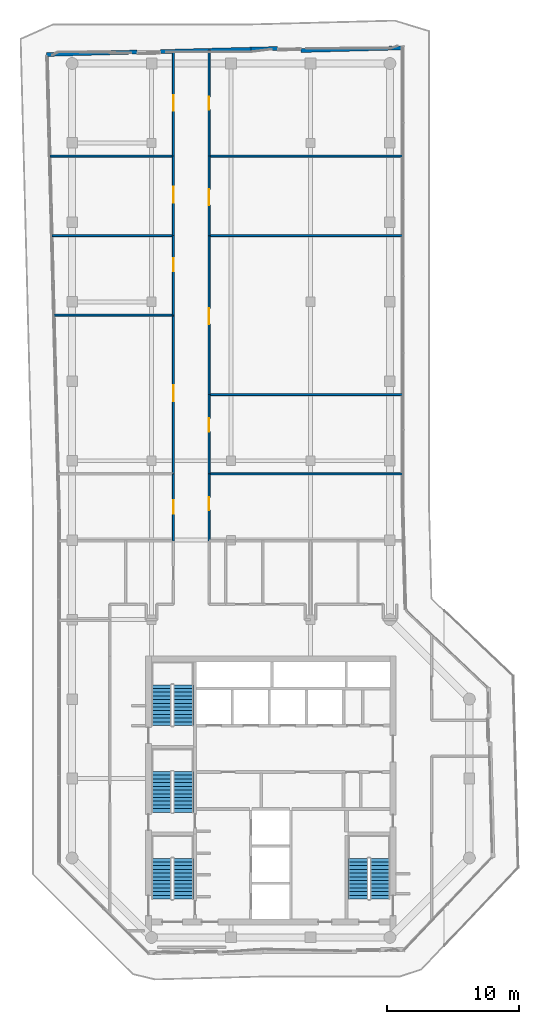
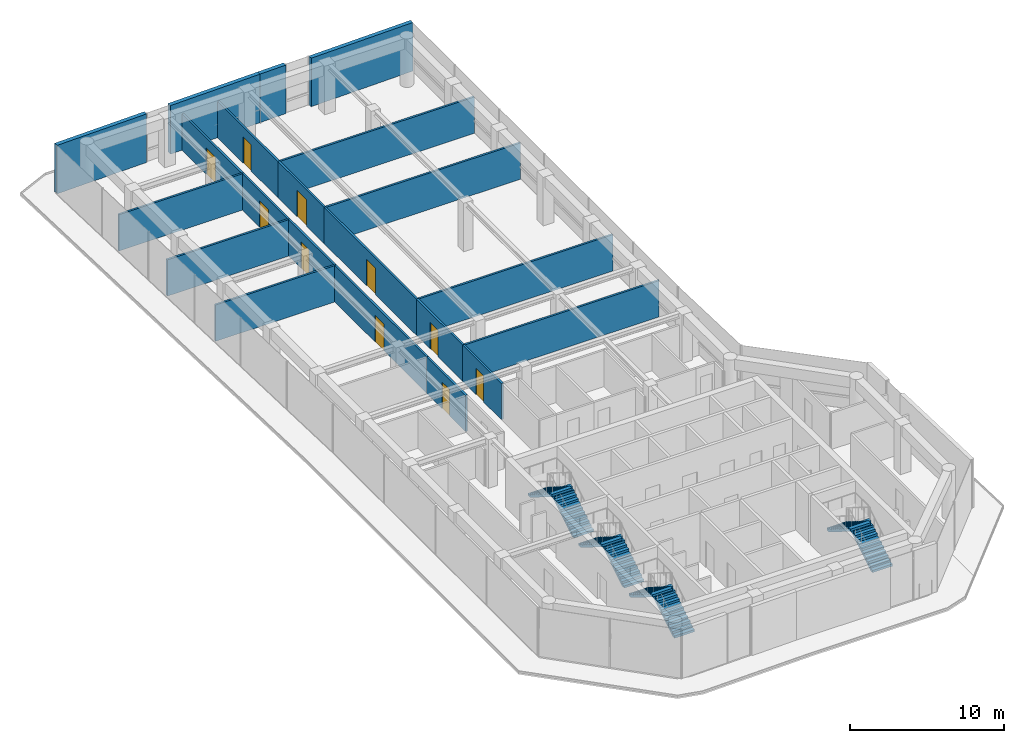
# One storey, part 18 of 20: 21 walls, 10 doors, 8 stair flights, 10 openings, 4 elements without a shape of their own.
"""IFC4 building model written with IfcOpenShell, lengths in metres."""

from ifc_helpers import new_model, si_unit, direction, frame, frame_2d, origin, place, context, subcontext, project, spatial, polyline, rectangle, outline, extrude, material, layer, layer_set, type_object, element, fill, aggregate, save


model = new_model("IFC4")

# Units and contexts
model_context = context("Model", 3, precision=1e-05, world=origin(), true_north=direction((0.0, 1.0)))
body_context = subcontext(model_context, "Body", "Model", "MODEL_VIEW")
ifc_project = project(units=[si_unit("LENGTHUNIT", "METRE"), si_unit("AREAUNIT", "SQUARE_METRE"), si_unit("VOLUMEUNIT", "CUBIC_METRE"), si_unit("PLANEANGLEUNIT", "RADIAN"), si_unit("MASSUNIT", "GRAM", prefix="KILO")], contexts=[model_context])

# Site, building, storey
site_placement = place(None, origin())
site = spatial("IfcSite", under=ifc_project, at=site_placement, CompositionType="ELEMENT")
building_placement = place(site_placement, origin())
building = spatial("IfcBuilding", under=site, at=building_placement, Name="Welwitschia Terrace Campus", CompositionType="ELEMENT")
storey_placement = place(building_placement, frame((0.0, 0.0, 222.199951171875)))
storey = spatial("IfcBuildingStorey", under=building, at=storey_placement, Name="L49", CompositionType="ELEMENT", Elevation=222.199951171875)

# Walls
ifc_material_1 = material(Name="Gypsum board on steel studs", Category="steel")
ifc_layer_1 = layer(ifc_material_1, 0.14990234375)
ifc_layer_set_1 = layer_set([ifc_layer_1], Name="Gypsum board on steel studs")
wall_type_1 = type_object("IfcWallType", Name="Corridor partition 150 EI 30", PredefinedType="PARTITIONING", material=ifc_layer_set_1)
wall_1_placement = place(storey_placement, frame((-1.679931640625, 63.0, 0.0), z_axis=(0.0, 0.0, 1.0), x_axis=(1.0, 0.0, 0.0)))
element("IfcWall", 1, at=wall_1_placement, inside=storey, type_object=wall_type_1, Name="Partition", PredefinedType="PARTITIONING", context=body_context, shape_type="SweptSolid", body=[
    extrude(rectangle(XDim=9.329833984375, YDim=0.14990234375, at=frame_2d((4.6650390625, 0.0))), origin(), (0.0, 0.0, 1.0), 2.880126953125),
])
wall_2_placement = place(storey_placement, frame((-1.52001953125, 57.0, 0.0), z_axis=(0.0, 0.0, 1.0), x_axis=(1.0, 0.0, 0.0)))
element("IfcWall", 2, at=wall_2_placement, inside=storey, type_object=wall_type_1, Name="Partition", PredefinedType="PARTITIONING", context=body_context, shape_type="SweptSolid", body=[
    extrude(rectangle(XDim=9.169921875, YDim=0.14990234375, at=frame_2d((4.5849609375, 0.0))), origin(), (0.0, 0.0, 1.0), 2.880126953125),
])
wall_3_placement = place(storey_placement, frame((-1.3701171875, 51.0, 0.0), z_axis=(0.0, 0.0, 1.0), x_axis=(1.0, 0.0, 0.0)))
element("IfcWall", 3, at=wall_3_placement, inside=storey, type_object=wall_type_1, Name="Partition", PredefinedType="PARTITIONING", context=body_context, shape_type="SweptSolid", body=[
    extrude(rectangle(XDim=9.02001953125, YDim=0.14990234375, at=frame_2d((4.510009765625, 0.0))), origin(), (0.0, 0.0, 1.0), 2.880126953125),
])

# Wall, opening, door
wall_4_placement = place(storey_placement, frame((7.64990234375, 33.949951171875, 0.0), z_axis=(0.0, 0.0, 1.0), x_axis=(0.0, 1.0, 0.0)))
wall_4 = element("IfcWall", 4, at=wall_4_placement, inside=storey, type_object=wall_type_1, Name="Partition", PredefinedType="PARTITIONING", context=body_context, shape_type="SweptSolid", body=[
    extrude(rectangle(XDim=5.050048828125, YDim=0.14990234375, at=frame_2d((2.52490234375, 0.0))), origin(), (0.0, 0.0, 1.0), 2.880126953125),
])
opening_1_placement = place(wall_4_placement, frame((2.050048828125, 0.0, 0.0)))
opening_1 = element("IfcOpeningElement", 5, at=opening_1_placement, cuts=wall_4, Name="Opening DI10", PredefinedType="OPENING", context=body_context, shape_type="SweptSolid", body=[
    extrude(rectangle(XDim=1.0, YDim=2.10009765625, at=frame_2d((0.5, 1.050048828125))), frame((0.0, 0.0849609375, 0.0), z_axis=(0.0, -1.0, 0.0), x_axis=(1.0, 0.0, 0.0)), (0.0, 0.0, 1.0), 0.169921875),
])
ifc_material_2 = material(Name="Timber veneered door", Category="wood")
door_type_1 = type_object("IfcDoorType", Name="Interior door DI10", OperationType="NOTDEFINED", PredefinedType="DOOR", material=ifc_material_2)
door_1_placement = place(opening_1_placement, origin())
door_1 = element("IfcDoor", 6, at=door_1_placement, inside=storey, type_object=door_type_1, Name="Door L49 916", OperationType="SINGLE_SWING_LEFT", OverallHeight=2.10009765625, OverallWidth=1.0, PredefinedType="DOOR", context=body_context, shape_type="SweptSolid", body=[
    extrude(rectangle(XDim=1.0, YDim=2.10009765625, at=frame_2d((0.5, 1.050048828125))), frame((0.0, 0.02490234375, 0.0), z_axis=(0.0, -1.0, 0.0), x_axis=(1.0, 0.0, 0.0)), (0.0, 0.0, 1.0), 0.050048828125),
])
fill(opening_1, door_1)

wall_5_placement = place(storey_placement, frame((7.64990234375, 51.0, 0.0), z_axis=(0.0, 0.0, 1.0), x_axis=(0.0, -1.0, 0.0)))
wall_5 = element("IfcWall", 7, at=wall_5_placement, inside=storey, type_object=wall_type_1, Name="Partition", PredefinedType="PARTITIONING", context=body_context, shape_type="SweptSolid", body=[
    extrude(rectangle(XDim=12.0, YDim=0.14990234375, at=frame_2d((6.0, 0.0))), origin(), (0.0, 0.0, 1.0), 2.880126953125),
])
opening_2_placement = place(wall_5_placement, frame((5.300048828125, 0.0, 0.0)))
opening_2 = element("IfcOpeningElement", 8, at=opening_2_placement, cuts=wall_5, Name="Opening DI12", PredefinedType="OPENING", context=body_context, shape_type="SweptSolid", body=[
    extrude(rectangle(XDim=1.199951171875, YDim=2.10009765625, at=frame_2d((0.60009765625, 1.050048828125))), frame((0.0, 0.0849609375, 0.0), z_axis=(0.0, -1.0, 0.0), x_axis=(1.0, 0.0, 0.0)), (0.0, 0.0, 1.0), 0.169921875),
])
ifc_material_3 = material(Name="Timber veneered door", Category="wood")
door_type_2 = type_object("IfcDoorType", Name="Interior door DI12", OperationType="NOTDEFINED", PredefinedType="DOOR", material=ifc_material_3)
door_2_placement = place(opening_2_placement, origin())
door_2 = element("IfcDoor", 9, at=door_2_placement, inside=storey, type_object=door_type_2, Name="Door L49 917", OperationType="SINGLE_SWING_RIGHT", OverallHeight=2.10009765625, OverallWidth=1.199951171875, PredefinedType="DOOR", context=body_context, shape_type="SweptSolid", body=[
    extrude(rectangle(XDim=1.199951171875, YDim=2.10009765625, at=frame_2d((0.60009765625, 1.050048828125))), frame((0.0, 0.02490234375, 0.0), z_axis=(0.0, -1.0, 0.0), x_axis=(1.0, 0.0, 0.0)), (0.0, 0.0, 1.0), 0.050048828125),
])
fill(opening_2, door_2)

wall_6_placement = place(storey_placement, frame((7.64990234375, 51.0, 0.0), z_axis=(0.0, 0.0, 1.0), x_axis=(0.0, 1.0, 0.0)))
wall_6 = element("IfcWall", 10, at=wall_6_placement, inside=storey, type_object=wall_type_1, Name="Partition", PredefinedType="PARTITIONING", context=body_context, shape_type="SweptSolid", body=[
    extrude(rectangle(XDim=6.0, YDim=0.14990234375, at=frame_2d((3.0, 0.0))), origin(), (0.0, 0.0, 1.0), 2.880126953125),
])
opening_3_placement = place(wall_6_placement, frame((3.300048828125, 0.0, 0.0)))
opening_3 = element("IfcOpeningElement", 11, at=opening_3_placement, cuts=wall_6, Name="Opening DI10", PredefinedType="OPENING", context=body_context, shape_type="SweptSolid", body=[
    extrude(rectangle(XDim=1.0, YDim=2.10009765625, at=frame_2d((0.5, 1.050048828125))), frame((0.0, 0.0849609375, 0.0), z_axis=(0.0, -1.0, 0.0), x_axis=(1.0, 0.0, 0.0)), (0.0, 0.0, 1.0), 0.169921875),
])
door_3_placement = place(opening_3_placement, origin())
door_3 = element("IfcDoor", 12, at=door_3_placement, inside=storey, type_object=door_type_1, Name="Door L49 918", OperationType="SINGLE_SWING_LEFT", OverallHeight=2.10009765625, OverallWidth=1.0, PredefinedType="DOOR", context=body_context, shape_type="SweptSolid", body=[
    extrude(rectangle(XDim=1.0, YDim=2.10009765625, at=frame_2d((0.5, 1.050048828125))), frame((0.0, 0.02490234375, 0.0), z_axis=(0.0, -1.0, 0.0), x_axis=(1.0, 0.0, 0.0)), (0.0, 0.0, 1.0), 0.050048828125),
])
fill(opening_3, door_3)

wall_7_placement = place(storey_placement, frame((7.64990234375, 63.0, 0.0), z_axis=(0.0, 0.0, 1.0), x_axis=(0.0, -1.0, 0.0)))
wall_7 = element("IfcWall", 13, at=wall_7_placement, inside=storey, type_object=wall_type_1, Name="Partition", PredefinedType="PARTITIONING", context=body_context, shape_type="SweptSolid", body=[
    extrude(rectangle(XDim=6.0, YDim=0.14990234375, at=frame_2d((3.0, 0.0))), origin(), (0.0, 0.0, 1.0), 2.880126953125),
])
opening_4_placement = place(wall_7_placement, frame((2.300048828125, 0.0, 0.0)))
opening_4 = element("IfcOpeningElement", 14, at=opening_4_placement, cuts=wall_7, Name="Opening DI12", PredefinedType="OPENING", context=body_context, shape_type="SweptSolid", body=[
    extrude(rectangle(XDim=1.199951171875, YDim=2.10009765625, at=frame_2d((0.60009765625, 1.050048828125))), frame((0.0, 0.0849609375, 0.0), z_axis=(0.0, -1.0, 0.0), x_axis=(1.0, 0.0, 0.0)), (0.0, 0.0, 1.0), 0.169921875),
])
door_4_placement = place(opening_4_placement, origin())
door_4 = element("IfcDoor", 15, at=door_4_placement, inside=storey, type_object=door_type_2, Name="Door L49 919", OperationType="SINGLE_SWING_RIGHT", OverallHeight=2.10009765625, OverallWidth=1.199951171875, PredefinedType="DOOR", context=body_context, shape_type="SweptSolid", body=[
    extrude(rectangle(XDim=1.199951171875, YDim=2.10009765625, at=frame_2d((0.60009765625, 1.050048828125))), frame((0.0, 0.02490234375, 0.0), z_axis=(0.0, -1.0, 0.0), x_axis=(1.0, 0.0, 0.0)), (0.0, 0.0, 1.0), 0.050048828125),
])
fill(opening_4, door_4)

wall_8_placement = place(storey_placement, frame((7.64990234375, 70.9326171875, 0.0), z_axis=(0.0, 0.0, 1.0), x_axis=(0.0, -1.0, 0.0)))
wall_8 = element("IfcWall", 16, at=wall_8_placement, inside=storey, type_object=wall_type_1, Name="Partition", PredefinedType="PARTITIONING", context=body_context, shape_type="SweptSolid", body=[
    extrude(rectangle(XDim=7.9326171875, YDim=0.14990234375, at=frame_2d((3.96630859375, 0.0))), origin(), (0.0, 0.0, 1.0), 2.880126953125),
])
opening_5_placement = place(wall_8_placement, frame((3.3125, 0.0, 0.0)))
opening_5 = element("IfcOpeningElement", 17, at=opening_5_placement, cuts=wall_8, Name="Opening DI12", PredefinedType="OPENING", context=body_context, shape_type="SweptSolid", body=[
    extrude(rectangle(XDim=1.199951171875, YDim=2.10009765625, at=frame_2d((0.60009765625, 1.050048828125))), frame((0.0, 0.0849609375, 0.0), z_axis=(0.0, -1.0, 0.0), x_axis=(1.0, 0.0, 0.0)), (0.0, 0.0, 1.0), 0.169921875),
])
door_5_placement = place(opening_5_placement, origin())
door_5 = element("IfcDoor", 18, at=door_5_placement, inside=storey, type_object=door_type_2, Name="Door L49 920", OperationType="SINGLE_SWING_LEFT", OverallHeight=2.10009765625, OverallWidth=1.199951171875, PredefinedType="DOOR", context=body_context, shape_type="SweptSolid", body=[
    extrude(rectangle(XDim=1.199951171875, YDim=2.10009765625, at=frame_2d((0.60009765625, 1.050048828125))), frame((0.0, 0.02490234375, 0.0), z_axis=(0.0, -1.0, 0.0), x_axis=(1.0, 0.0, 0.0)), (0.0, 0.0, 1.0), 0.050048828125),
])
fill(opening_5, door_5)

wall_9_placement = place(storey_placement, frame((10.35009765625, 39.0, 0.0), z_axis=(0.0, 0.0, 1.0), x_axis=(0.0, -1.0, 0.0)))
wall_9 = element("IfcWall", 19, at=wall_9_placement, inside=storey, type_object=wall_type_1, Name="Partition", PredefinedType="PARTITIONING", context=body_context, shape_type="SweptSolid", body=[
    extrude(rectangle(XDim=5.050048828125, YDim=0.14990234375, at=frame_2d((2.52490234375, 0.0))), origin(), (0.0, 0.0, 1.0), 2.880126953125),
])
opening_6_placement = place(wall_9_placement, frame((1.75, 0.0, 0.0)))
opening_6 = element("IfcOpeningElement", 20, at=opening_6_placement, cuts=wall_9, Name="Opening DI10", PredefinedType="OPENING", context=body_context, shape_type="SweptSolid", body=[
    extrude(rectangle(XDim=1.0, YDim=2.10009765625, at=frame_2d((0.5, 1.050048828125))), frame((0.0, 0.0849609375, 0.0), z_axis=(0.0, -1.0, 0.0), x_axis=(1.0, 0.0, 0.0)), (0.0, 0.0, 1.0), 0.169921875),
])
door_6_placement = place(opening_6_placement, origin())
door_6 = element("IfcDoor", 21, at=door_6_placement, inside=storey, type_object=door_type_1, Name="Door L49 921", OperationType="SINGLE_SWING_RIGHT", OverallHeight=2.10009765625, OverallWidth=1.0, PredefinedType="DOOR", context=body_context, shape_type="SweptSolid", body=[
    extrude(rectangle(XDim=1.0, YDim=2.10009765625, at=frame_2d((0.5, 1.050048828125))), frame((0.0, 0.02490234375, 0.0), z_axis=(0.0, -1.0, 0.0), x_axis=(1.0, 0.0, 0.0)), (0.0, 0.0, 1.0), 0.050048828125),
])
fill(opening_6, door_6)

# Wall
wall_10_placement = place(storey_placement, frame((10.35009765625, 39.0, 0.0), z_axis=(0.0, 0.0, 1.0), x_axis=(1.0, 0.0, 0.0)))
element("IfcWall", 22, at=wall_10_placement, inside=storey, type_object=wall_type_1, Name="Partition", PredefinedType="PARTITIONING", context=body_context, shape_type="SweptSolid", body=[
    extrude(rectangle(XDim=14.6298828125, YDim=0.14990234375, at=frame_2d((7.31494140625, 0.0))), origin(), (0.0, 0.0, 1.0), 2.880126953125),
])

# Wall, opening, door
wall_11_placement = place(storey_placement, frame((10.35009765625, 45.0, 0.0), z_axis=(0.0, 0.0, 1.0), x_axis=(0.0, -1.0, 0.0)))
wall_11 = element("IfcWall", 23, at=wall_11_placement, inside=storey, type_object=wall_type_1, Name="Partition", PredefinedType="PARTITIONING", context=body_context, shape_type="SweptSolid", body=[
    extrude(rectangle(XDim=6.0, YDim=0.14990234375, at=frame_2d((3.0, 0.0))), origin(), (0.0, 0.0, 1.0), 2.880126953125),
])
opening_7_placement = place(wall_11_placement, frame((1.800048828125, 0.0, 0.0)))
opening_7 = element("IfcOpeningElement", 24, at=opening_7_placement, cuts=wall_11, Name="Opening DI10", PredefinedType="OPENING", context=body_context, shape_type="SweptSolid", body=[
    extrude(rectangle(XDim=1.0, YDim=2.10009765625, at=frame_2d((0.5, 1.050048828125))), frame((0.0, 0.0849609375, 0.0), z_axis=(0.0, -1.0, 0.0), x_axis=(1.0, 0.0, 0.0)), (0.0, 0.0, 1.0), 0.169921875),
])
door_7_placement = place(opening_7_placement, origin())
door_7 = element("IfcDoor", 25, at=door_7_placement, inside=storey, type_object=door_type_1, Name="Door L49 922", OperationType="SINGLE_SWING_LEFT", OverallHeight=2.10009765625, OverallWidth=1.0, PredefinedType="DOOR", context=body_context, shape_type="SweptSolid", body=[
    extrude(rectangle(XDim=1.0, YDim=2.10009765625, at=frame_2d((0.5, 1.050048828125))), frame((0.0, 0.02490234375, 0.0), z_axis=(0.0, -1.0, 0.0), x_axis=(1.0, 0.0, 0.0)), (0.0, 0.0, 1.0), 0.050048828125),
])
fill(opening_7, door_7)

wall_12_placement = place(storey_placement, frame((10.35009765625, 45.0, 0.0), z_axis=(0.0, 0.0, 1.0), x_axis=(0.0, 1.0, 0.0)))
wall_12 = element("IfcWall", 26, at=wall_12_placement, inside=storey, type_object=wall_type_1, Name="Partition", PredefinedType="PARTITIONING", context=body_context, shape_type="SweptSolid", body=[
    extrude(rectangle(XDim=12.0, YDim=0.14990234375, at=frame_2d((6.0, 0.0))), origin(), (0.0, 0.0, 1.0), 2.880126953125),
])
opening_8_placement = place(wall_12_placement, frame((5.300048828125, 0.0, 0.0)))
opening_8 = element("IfcOpeningElement", 27, at=opening_8_placement, cuts=wall_12, Name="Opening DI12", PredefinedType="OPENING", context=body_context, shape_type="SweptSolid", body=[
    extrude(rectangle(XDim=1.199951171875, YDim=2.10009765625, at=frame_2d((0.60009765625, 1.050048828125))), frame((0.0, 0.0849609375, 0.0), z_axis=(0.0, -1.0, 0.0), x_axis=(1.0, 0.0, 0.0)), (0.0, 0.0, 1.0), 0.169921875),
])
door_8_placement = place(opening_8_placement, origin())
door_8 = element("IfcDoor", 28, at=door_8_placement, inside=storey, type_object=door_type_2, Name="Door L49 923", OperationType="SINGLE_SWING_RIGHT", OverallHeight=2.10009765625, OverallWidth=1.199951171875, PredefinedType="DOOR", context=body_context, shape_type="SweptSolid", body=[
    extrude(rectangle(XDim=1.199951171875, YDim=2.10009765625, at=frame_2d((0.60009765625, 1.050048828125))), frame((0.0, 0.02490234375, 0.0), z_axis=(0.0, -1.0, 0.0), x_axis=(1.0, 0.0, 0.0)), (0.0, 0.0, 1.0), 0.050048828125),
])
fill(opening_8, door_8)

# Wall
wall_13_placement = place(storey_placement, frame((10.35009765625, 45.0, 0.0), z_axis=(0.0, 0.0, 1.0), x_axis=(1.0, 0.0, 0.0)))
element("IfcWall", 29, at=wall_13_placement, inside=storey, type_object=wall_type_1, Name="Partition", PredefinedType="PARTITIONING", context=body_context, shape_type="SweptSolid", body=[
    extrude(rectangle(XDim=14.6298828125, YDim=0.14990234375, at=frame_2d((7.31494140625, 0.0))), origin(), (0.0, 0.0, 1.0), 2.880126953125),
])

# Wall, opening, door
wall_14_placement = place(storey_placement, frame((10.35009765625, 57.0, 0.0), z_axis=(0.0, 0.0, 1.0), x_axis=(0.0, 1.0, 0.0)))
wall_14 = element("IfcWall", 30, at=wall_14_placement, inside=storey, type_object=wall_type_1, Name="Partition", PredefinedType="PARTITIONING", context=body_context, shape_type="SweptSolid", body=[
    extrude(rectangle(XDim=6.0, YDim=0.14990234375, at=frame_2d((3.0, 0.0))), origin(), (0.0, 0.0, 1.0), 2.880126953125),
])
opening_9_placement = place(wall_14_placement, frame((2.300048828125, 0.0, 0.0)))
opening_9 = element("IfcOpeningElement", 31, at=opening_9_placement, cuts=wall_14, Name="Opening DI12", PredefinedType="OPENING", context=body_context, shape_type="SweptSolid", body=[
    extrude(rectangle(XDim=1.199951171875, YDim=2.10009765625, at=frame_2d((0.60009765625, 1.050048828125))), frame((0.0, 0.0849609375, 0.0), z_axis=(0.0, -1.0, 0.0), x_axis=(1.0, 0.0, 0.0)), (0.0, 0.0, 1.0), 0.169921875),
])
door_9_placement = place(opening_9_placement, origin())
door_9 = element("IfcDoor", 32, at=door_9_placement, inside=storey, type_object=door_type_2, Name="Door L49 924", OperationType="SINGLE_SWING_LEFT", OverallHeight=2.10009765625, OverallWidth=1.199951171875, PredefinedType="DOOR", context=body_context, shape_type="SweptSolid", body=[
    extrude(rectangle(XDim=1.199951171875, YDim=2.10009765625, at=frame_2d((0.60009765625, 1.050048828125))), frame((0.0, 0.02490234375, 0.0), z_axis=(0.0, -1.0, 0.0), x_axis=(1.0, 0.0, 0.0)), (0.0, 0.0, 1.0), 0.050048828125),
])
fill(opening_9, door_9)

# Walls
for number, where, z_axis, x_axis, name in (
    (33, (10.35009765625, 57.0, 0.0), (0.0, 0.0, 1.0), (1.0, 0.0, 0.0), "Partition"),
    (34, (10.35009765625, 63.0, 0.0), (0.0, 0.0, 1.0), (1.0, 0.0, 0.0), "Partition"),
):
    element("IfcWall", number, at=place(storey_placement, frame(where, z_axis=z_axis, x_axis=x_axis)), inside=storey, type_object=wall_type_1, Name=name, PredefinedType="PARTITIONING", context=body_context, shape_type="SweptSolid", body=[
        extrude(rectangle(XDim=14.6298828125, YDim=0.14990234375, at=frame_2d((7.31494140625, 0.0))), origin(), (0.0, 0.0, 1.0), 2.880126953125),
    ])

# Wall, opening, door
wall_15_placement = place(storey_placement, frame((10.35009765625, 71.0048828125, 0.0), z_axis=(0.0, 0.0, 1.0), x_axis=(0.0, -1.0, 0.0)))
wall_15 = element("IfcWall", 35, at=wall_15_placement, inside=storey, type_object=wall_type_1, Name="Partition", PredefinedType="PARTITIONING", context=body_context, shape_type="SweptSolid", body=[
    extrude(rectangle(XDim=8.0048828125, YDim=0.14990234375, at=frame_2d((4.00244140625, 0.0))), origin(), (0.0, 0.0, 1.0), 2.880126953125),
])
opening_10_placement = place(wall_15_placement, frame((3.5048828125, 0.0, 0.0)))
opening_10 = element("IfcOpeningElement", 36, at=opening_10_placement, cuts=wall_15, Name="Opening DI10", PredefinedType="OPENING", context=body_context, shape_type="SweptSolid", body=[
    extrude(rectangle(XDim=1.0, YDim=2.10009765625, at=frame_2d((0.5, 1.050048828125))), frame((0.0, 0.0849609375, 0.0), z_axis=(0.0, -1.0, 0.0), x_axis=(1.0, 0.0, 0.0)), (0.0, 0.0, 1.0), 0.169921875),
])
door_10_placement = place(opening_10_placement, origin())
door_10 = element("IfcDoor", 37, at=door_10_placement, inside=storey, type_object=door_type_1, Name="Door L49 925", OperationType="SINGLE_SWING_RIGHT", OverallHeight=2.10009765625, OverallWidth=1.0, PredefinedType="DOOR", context=body_context, shape_type="SweptSolid", body=[
    extrude(rectangle(XDim=1.0, YDim=2.10009765625, at=frame_2d((0.5, 1.050048828125))), frame((0.0, 0.02490234375, 0.0), z_axis=(0.0, -1.0, 0.0), x_axis=(1.0, 0.0, 0.0)), (0.0, 0.0, 1.0), 0.050048828125),
])
fill(opening_10, door_10)

# Walls
ifc_material_4 = material(Name="Concrete C40/50", Category="concrete")
ifc_layer_2 = layer(ifc_material_4, 0.300048828125)
ifc_layer_set_2 = layer_set([ifc_layer_2], Name="Concrete C40/50")
wall_type_2 = type_object("IfcWallType", Name="Mass wall 300", PredefinedType="SOLIDWALL", material=ifc_layer_set_2)
wall_16_placement = place(storey_placement, frame((25.033935546875, 71.181396484375, 0.0), z_axis=(0.0, 0.0, 1.0), x_axis=(-0.999657687485, -0.026163100961, 0.0)))
element("IfcWall", 38, at=wall_16_placement, inside=storey, type_object=wall_type_2, Name="Mass wall L49.9.0", PredefinedType="SOLIDWALL", context=body_context, shape_type="SweptSolid", body=[
    extrude(rectangle(XDim=7.73583984375, YDim=0.300048828125, at=frame_2d((3.867919921875, 0.0))), origin(), (0.0, 0.0, 1.0), 3.85009765625),
])
wall_17_placement = place(storey_placement, frame((15.49609375, 71.1318359375, 0.0), z_axis=(0.0, 0.0, 1.0), x_axis=(-0.999657751572, -0.026160652183, 0.0)))
element("IfcWall", 39, at=wall_17_placement, inside=storey, type_object=wall_type_2, Name="Mass wall L49.9.1", PredefinedType="SOLIDWALL", context=body_context, shape_type="SweptSolid", body=[
    extrude(rectangle(XDim=1.978515625, YDim=0.300048828125, at=frame_2d((0.9892578125, 0.0))), origin(), (0.0, 0.0, 1.0), 3.85009765625),
])
wall_18_placement = place(storey_placement, frame((13.518310546875, 71.080078125, 0.0), z_axis=(0.0, 0.0, 1.0), x_axis=(-0.999640403912, -0.026815347578, 0.0)))
element("IfcWall", 40, at=wall_18_placement, inside=storey, type_object=wall_type_2, Name="Mass wall L49.10.0", PredefinedType="SOLIDWALL", context=body_context, shape_type="SweptSolid", body=[
    extrude(rectangle(XDim=6.828369140625, YDim=0.300048828125, at=frame_2d((3.4140625, 0.0))), origin(), (0.0, 0.0, 1.0), 3.85009765625),
])
wall_19_placement = place(storey_placement, frame((4.892578125, 70.86474609375, 0.0), z_axis=(0.0, 0.0, 1.0), x_axis=(-0.99963941909, -0.026852035329, 0.0)))
element("IfcWall", 41, at=wall_19_placement, inside=storey, type_object=wall_type_2, Name="Mass wall L49.10.1", PredefinedType="SOLIDWALL", context=body_context, shape_type="SweptSolid", body=[
    extrude(rectangle(XDim=6.828125, YDim=0.300048828125, at=frame_2d((3.4140625, 0.0))), origin(), (0.0, 0.0, 1.0), 3.85009765625),
])

# Stair, stair flights
ifc_material_5 = material(Name="Concrete C40/50", Category="concrete")
stair_type = type_object("IfcStairType", Name="Stair 24R 175 W1500", PredefinedType="HALF_TURN_STAIR", material=ifc_material_5)
stair_1_placement = place(storey_placement, origin())
stair_1 = element("IfcStair", 42, at=stair_1_placement, inside=storey, type_object=stair_type, Name="L49 Exit stair S1", PredefinedType="HALF_TURN_STAIR")
ifc_material_6 = material(Name="Concrete C40/50", Category="concrete")
stair_flight_type = type_object("IfcStairFlightType", Name="Stair flight 24R 175 W1500", PredefinedType="STRAIGHT", material=ifc_material_6)
stair_flight_1_placement = place(storey_placement, frame((8.39990234375, 6.89990234375, 0.0), z_axis=(0.0, 0.0, 1.0), x_axis=(0.0, 1.0, 0.0)))
stair_flight_1 = element("IfcStairFlight", 43, at=stair_flight_1_placement, type_object=stair_flight_type, Name="S1 flight 1", NumberOfRisers=12, NumberOfTreads=11, PredefinedType="STRAIGHT", RiserHeight=0.175, TreadLength=0.28, context=body_context, shape_type="SweptSolid", body=[
    extrude(outline(polyline([(0.0, 0.0), (0.0, 0.175048828125), (0.280029296875, 0.175048828125), (0.280029296875, 0.35009765625), (0.56005859375, 0.35009765625), (0.56005859375, 0.52490234375), (0.840087890625, 0.52490234375), (0.840087890625, 0.699951171875), (1.1201171875, 0.699951171875), (1.1201171875, 0.875), (1.39990234375, 0.875), (1.39990234375, 1.050048828125), (1.679931640625, 1.050048828125), (1.679931640625, 1.22509765625), (1.9599609375, 1.22509765625), (1.9599609375, 1.39990234375), (2.239990234375, 1.39990234375), (2.239990234375, 1.574951171875), (2.52001953125, 1.574951171875), (2.52001953125, 1.75), (2.800048828125, 1.75), (2.800048828125, 1.925048828125), (3.080078125, 1.925048828125), (3.080078125, 2.10009765625), (3.080078125, 1.748291015625), (0.28271484375, 0.0), (0.0, 0.0)])), frame((0.0, 0.75, 0.0), z_axis=(0.0, -1.0, 0.0), x_axis=(1.0, 0.0, 0.0)), (0.0, 0.0, 1.0), 1.5),
])
stair_flight_2_placement = place(storey_placement, frame((6.75, 9.97998046875, 2.10009765625), z_axis=(0.0, 0.0, 1.0), x_axis=(0.0, -1.0, 0.0)))
stair_flight_2 = element("IfcStairFlight", 44, at=stair_flight_2_placement, type_object=stair_flight_type, Name="S1 flight 2", NumberOfRisers=12, NumberOfTreads=11, PredefinedType="STRAIGHT", RiserHeight=0.175, TreadLength=0.28, context=body_context, shape_type="SweptSolid", body=[
    extrude(outline(polyline([(0.0, 0.0), (0.0, 0.175048828125), (0.280029296875, 0.175048828125), (0.280029296875, 0.35009765625), (0.56005859375, 0.35009765625), (0.56005859375, 0.52490234375), (0.840087890625, 0.52490234375), (0.840087890625, 0.699951171875), (1.1201171875, 0.699951171875), (1.1201171875, 0.875), (1.39990234375, 0.875), (1.39990234375, 1.050048828125), (1.679931640625, 1.050048828125), (1.679931640625, 1.22509765625), (1.9599609375, 1.22509765625), (1.9599609375, 1.39990234375), (2.239990234375, 1.39990234375), (2.239990234375, 1.574951171875), (2.52001953125, 1.574951171875), (2.52001953125, 1.75), (2.800048828125, 1.75), (2.800048828125, 1.925048828125), (3.080078125, 1.925048828125), (3.080078125, 2.10009765625), (3.080078125, 1.748291015625), (0.28271484375, 0.0), (0.0, 0.0)])), frame((0.0, 0.75, 0.0), z_axis=(0.0, -1.0, 0.0), x_axis=(1.0, 0.0, 0.0)), (0.0, 0.0, 1.0), 1.5),
])
aggregate(stair_1, [stair_flight_1, stair_flight_2])

stair_2_placement = place(storey_placement, origin())
stair_2 = element("IfcStair", 45, at=stair_2_placement, inside=storey, type_object=stair_type, Name="L49 Exit stair S3", PredefinedType="HALF_TURN_STAIR")
stair_flight_3_placement = place(storey_placement, frame((8.39990234375, 13.449951171875, 0.0), z_axis=(0.0, 0.0, 1.0), x_axis=(0.0, 1.0, 0.0)))
stair_flight_3 = element("IfcStairFlight", 46, at=stair_flight_3_placement, type_object=stair_flight_type, Name="S3 flight 1", NumberOfRisers=12, NumberOfTreads=11, PredefinedType="STRAIGHT", RiserHeight=0.175, TreadLength=0.28, context=body_context, shape_type="SweptSolid", body=[
    extrude(outline(polyline([(0.0, 0.0), (0.0, 0.175048828125), (0.280029296875, 0.175048828125), (0.280029296875, 0.35009765625), (0.56005859375, 0.35009765625), (0.56005859375, 0.52490234375), (0.840087890625, 0.52490234375), (0.840087890625, 0.699951171875), (1.1201171875, 0.699951171875), (1.1201171875, 0.875), (1.39990234375, 0.875), (1.39990234375, 1.050048828125), (1.679931640625, 1.050048828125), (1.679931640625, 1.22509765625), (1.9599609375, 1.22509765625), (1.9599609375, 1.39990234375), (2.239990234375, 1.39990234375), (2.239990234375, 1.574951171875), (2.52001953125, 1.574951171875), (2.52001953125, 1.75), (2.800048828125, 1.75), (2.800048828125, 1.925048828125), (3.080078125, 1.925048828125), (3.080078125, 2.10009765625), (3.080078125, 1.748291015625), (0.28271484375, 0.0), (0.0, 0.0)])), frame((0.0, 0.75, 0.0), z_axis=(0.0, -1.0, 0.0), x_axis=(1.0, 0.0, 0.0)), (0.0, 0.0, 1.0), 1.5),
])
stair_flight_4_placement = place(storey_placement, frame((6.75, 16.530029296875, 2.10009765625), z_axis=(0.0, 0.0, 1.0), x_axis=(0.0, -1.0, 0.0)))
stair_flight_4 = element("IfcStairFlight", 47, at=stair_flight_4_placement, type_object=stair_flight_type, Name="S3 flight 2", NumberOfRisers=12, NumberOfTreads=11, PredefinedType="STRAIGHT", RiserHeight=0.175, TreadLength=0.28, context=body_context, shape_type="SweptSolid", body=[
    extrude(outline(polyline([(0.0, 0.0), (0.0, 0.175048828125), (0.280029296875, 0.175048828125), (0.280029296875, 0.35009765625), (0.56005859375, 0.35009765625), (0.56005859375, 0.52490234375), (0.840087890625, 0.52490234375), (0.840087890625, 0.699951171875), (1.1201171875, 0.699951171875), (1.1201171875, 0.875), (1.39990234375, 0.875), (1.39990234375, 1.050048828125), (1.679931640625, 1.050048828125), (1.679931640625, 1.22509765625), (1.9599609375, 1.22509765625), (1.9599609375, 1.39990234375), (2.239990234375, 1.39990234375), (2.239990234375, 1.574951171875), (2.52001953125, 1.574951171875), (2.52001953125, 1.75), (2.800048828125, 1.75), (2.800048828125, 1.925048828125), (3.080078125, 1.925048828125), (3.080078125, 2.10009765625), (3.080078125, 1.748291015625), (0.28271484375, 0.0), (0.0, 0.0)])), frame((0.0, 0.75, 0.0), z_axis=(0.0, -1.0, 0.0), x_axis=(1.0, 0.0, 0.0)), (0.0, 0.0, 1.0), 1.5),
])
aggregate(stair_2, [stair_flight_3, stair_flight_4])

stair_3_placement = place(storey_placement, origin())
stair_3 = element("IfcStair", 48, at=stair_3_placement, inside=storey, type_object=stair_type, Name="L49 Exit stair S4", PredefinedType="HALF_TURN_STAIR")
stair_flight_5_placement = place(storey_placement, frame((8.39990234375, 20.0, 0.0), z_axis=(0.0, 0.0, 1.0), x_axis=(0.0, 1.0, 0.0)))
stair_flight_5 = element("IfcStairFlight", 49, at=stair_flight_5_placement, type_object=stair_flight_type, Name="S4 flight 1", NumberOfRisers=12, NumberOfTreads=11, PredefinedType="STRAIGHT", RiserHeight=0.175, TreadLength=0.28, context=body_context, shape_type="SweptSolid", body=[
    extrude(outline(polyline([(0.0, 0.0), (0.0, 0.175048828125), (0.280029296875, 0.175048828125), (0.280029296875, 0.35009765625), (0.56005859375, 0.35009765625), (0.56005859375, 0.52490234375), (0.840087890625, 0.52490234375), (0.840087890625, 0.699951171875), (1.1201171875, 0.699951171875), (1.1201171875, 0.875), (1.39990234375, 0.875), (1.39990234375, 1.050048828125), (1.679931640625, 1.050048828125), (1.679931640625, 1.22509765625), (1.9599609375, 1.22509765625), (1.9599609375, 1.39990234375), (2.239990234375, 1.39990234375), (2.239990234375, 1.574951171875), (2.52001953125, 1.574951171875), (2.52001953125, 1.75), (2.800048828125, 1.75), (2.800048828125, 1.925048828125), (3.080078125, 1.925048828125), (3.080078125, 2.10009765625), (3.080078125, 1.748291015625), (0.28271484375, 0.0), (0.0, 0.0)])), frame((0.0, 0.75, 0.0), z_axis=(0.0, -1.0, 0.0), x_axis=(1.0, 0.0, 0.0)), (0.0, 0.0, 1.0), 1.5),
])
stair_flight_6_placement = place(storey_placement, frame((6.75, 23.080078125, 2.10009765625), z_axis=(0.0, 0.0, 1.0), x_axis=(0.0, -1.0, 0.0)))
stair_flight_6 = element("IfcStairFlight", 50, at=stair_flight_6_placement, type_object=stair_flight_type, Name="S4 flight 2", NumberOfRisers=12, NumberOfTreads=11, PredefinedType="STRAIGHT", RiserHeight=0.175, TreadLength=0.28, context=body_context, shape_type="SweptSolid", body=[
    extrude(outline(polyline([(0.0, 0.0), (0.0, 0.175048828125), (0.280029296875, 0.175048828125), (0.280029296875, 0.35009765625), (0.56005859375, 0.35009765625), (0.56005859375, 0.52490234375), (0.840087890625, 0.52490234375), (0.840087890625, 0.699951171875), (1.1201171875, 0.699951171875), (1.1201171875, 0.875), (1.39990234375, 0.875), (1.39990234375, 1.050048828125), (1.679931640625, 1.050048828125), (1.679931640625, 1.22509765625), (1.9599609375, 1.22509765625), (1.9599609375, 1.39990234375), (2.239990234375, 1.39990234375), (2.239990234375, 1.574951171875), (2.52001953125, 1.574951171875), (2.52001953125, 1.75), (2.800048828125, 1.75), (2.800048828125, 1.925048828125), (3.080078125, 1.925048828125), (3.080078125, 2.10009765625), (3.080078125, 1.748291015625), (0.28271484375, 0.0), (0.0, 0.0)])), frame((0.0, 0.75, 0.0), z_axis=(0.0, -1.0, 0.0), x_axis=(1.0, 0.0, 0.0)), (0.0, 0.0, 1.0), 1.5),
])
aggregate(stair_3, [stair_flight_5, stair_flight_6])

stair_4_placement = place(storey_placement, origin())
stair_4 = element("IfcStair", 51, at=stair_4_placement, inside=storey, type_object=stair_type, Name="L49 Exit stair S2", PredefinedType="HALF_TURN_STAIR")
stair_flight_7_placement = place(storey_placement, frame((23.25, 6.89990234375, 0.0), z_axis=(0.0, 0.0, 1.0), x_axis=(0.0, 1.0, 0.0)))
stair_flight_7 = element("IfcStairFlight", 52, at=stair_flight_7_placement, type_object=stair_flight_type, Name="S2 flight 1", NumberOfRisers=12, NumberOfTreads=11, PredefinedType="STRAIGHT", RiserHeight=0.175, TreadLength=0.28, context=body_context, shape_type="SweptSolid", body=[
    extrude(outline(polyline([(0.0, 0.0), (0.0, 0.175048828125), (0.280029296875, 0.175048828125), (0.280029296875, 0.35009765625), (0.56005859375, 0.35009765625), (0.56005859375, 0.52490234375), (0.840087890625, 0.52490234375), (0.840087890625, 0.699951171875), (1.1201171875, 0.699951171875), (1.1201171875, 0.875), (1.39990234375, 0.875), (1.39990234375, 1.050048828125), (1.679931640625, 1.050048828125), (1.679931640625, 1.22509765625), (1.9599609375, 1.22509765625), (1.9599609375, 1.39990234375), (2.239990234375, 1.39990234375), (2.239990234375, 1.574951171875), (2.52001953125, 1.574951171875), (2.52001953125, 1.75), (2.800048828125, 1.75), (2.800048828125, 1.925048828125), (3.080078125, 1.925048828125), (3.080078125, 2.10009765625), (3.080078125, 1.748291015625), (0.28271484375, 0.0), (0.0, 0.0)])), frame((0.0, 0.75, 0.0), z_axis=(0.0, -1.0, 0.0), x_axis=(1.0, 0.0, 0.0)), (0.0, 0.0, 1.0), 1.5),
])
stair_flight_8_placement = place(storey_placement, frame((21.60009765625, 9.97998046875, 2.10009765625), z_axis=(0.0, 0.0, 1.0), x_axis=(0.0, -1.0, 0.0)))
stair_flight_8 = element("IfcStairFlight", 53, at=stair_flight_8_placement, type_object=stair_flight_type, Name="S2 flight 2", NumberOfRisers=12, NumberOfTreads=11, PredefinedType="STRAIGHT", RiserHeight=0.175, TreadLength=0.28, context=body_context, shape_type="SweptSolid", body=[
    extrude(outline(polyline([(0.0, 0.0), (0.0, 0.175048828125), (0.280029296875, 0.175048828125), (0.280029296875, 0.35009765625), (0.56005859375, 0.35009765625), (0.56005859375, 0.52490234375), (0.840087890625, 0.52490234375), (0.840087890625, 0.699951171875), (1.1201171875, 0.699951171875), (1.1201171875, 0.875), (1.39990234375, 0.875), (1.39990234375, 1.050048828125), (1.679931640625, 1.050048828125), (1.679931640625, 1.22509765625), (1.9599609375, 1.22509765625), (1.9599609375, 1.39990234375), (2.239990234375, 1.39990234375), (2.239990234375, 1.574951171875), (2.52001953125, 1.574951171875), (2.52001953125, 1.75), (2.800048828125, 1.75), (2.800048828125, 1.925048828125), (3.080078125, 1.925048828125), (3.080078125, 2.10009765625), (3.080078125, 1.748291015625), (0.28271484375, 0.0), (0.0, 0.0)])), frame((0.0, 0.75, 0.0), z_axis=(0.0, -1.0, 0.0), x_axis=(1.0, 0.0, 0.0)), (0.0, 0.0, 1.0), 1.5),
])
aggregate(stair_4, [stair_flight_7, stair_flight_8])

save(model, "model.ifc")
